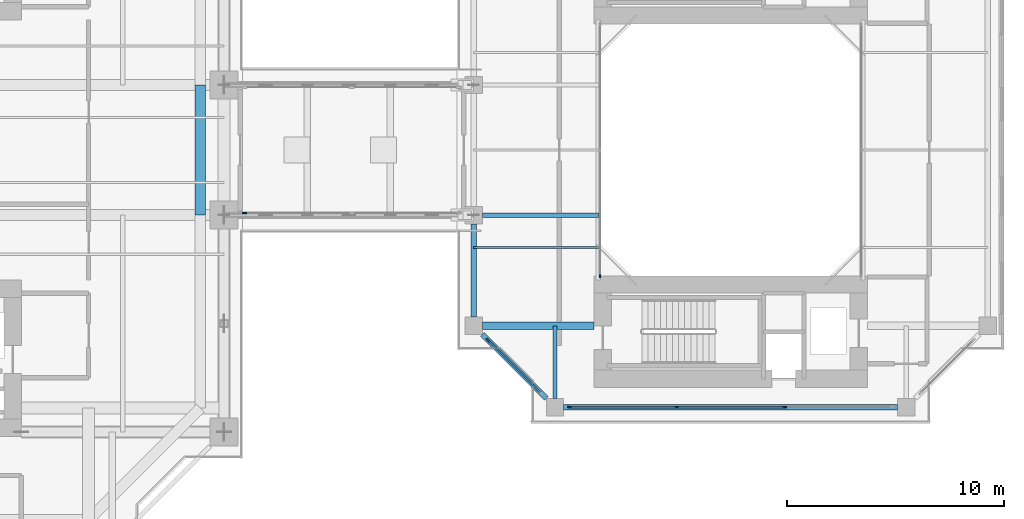
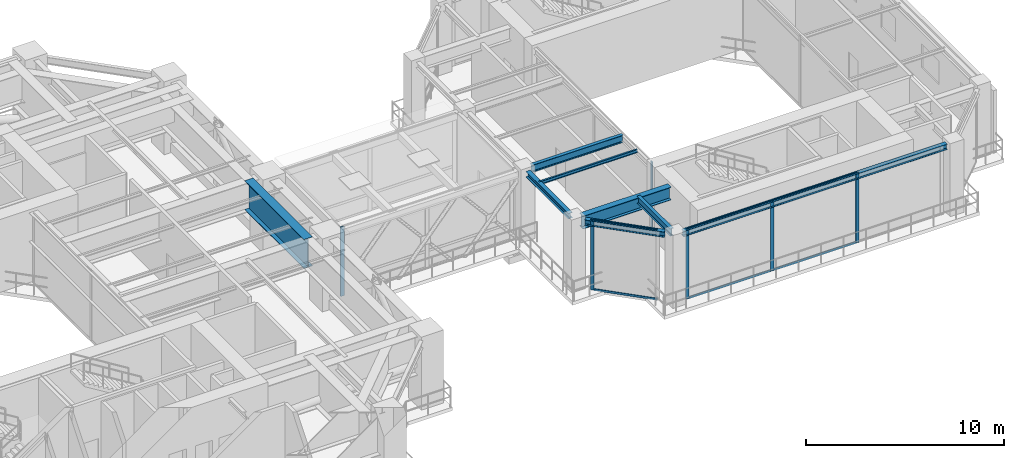
# One storey, part 6 of 25: 12 members, 8 beams, 4 elements without a shape of their own.
"""IFC4 building model written with IfcOpenShell, lengths in metres."""

from ifc_helpers import new_model, si_unit, direction, frame, origin, origin_2d, place, context, subcontext, project, spatial, rectangle, i_section, extrude, source, transform, mapped, material, layer, layer_set, material_profile, profile_set, type_object, element, aggregate, save


model = new_model("IFC4")

# Units and contexts
model_context = context("Model", 3, precision=1e-05, world=origin(), true_north=direction((0.0, 1.0)))
body_context = subcontext(model_context, "Body", "Model", "MODEL_VIEW")
ifc_project = project(units=[si_unit("LENGTHUNIT", "METRE"), si_unit("AREAUNIT", "SQUARE_METRE"), si_unit("VOLUMEUNIT", "CUBIC_METRE"), si_unit("PLANEANGLEUNIT", "RADIAN"), si_unit("MASSUNIT", "GRAM", prefix="KILO"), si_unit("THERMODYNAMICTEMPERATUREUNIT", "KELVIN"), si_unit("POWERUNIT", "WATT")], contexts=[model_context])

# Site, building, storey
site_placement = place(None, origin())
site = spatial("IfcSite", under=ifc_project, at=site_placement, CompositionType="ELEMENT")
building_placement = place(site_placement, origin())
building = spatial("IfcBuilding", under=site, at=building_placement, Name="Qiaomeng Ring Towers", CompositionType="ELEMENT")
storey_placement = place(building_placement, frame((0.0, 0.0, 92.5)))
storey = spatial("IfcBuildingStorey", under=building, at=storey_placement, Name="L26", CompositionType="ELEMENT", Elevation=92.5)

# Beams
ifc_material_1 = material(Name="Steel Q355B", Category="steel")
ifc_material_profile_1 = material_profile(ifc_material_1, i_section(OverallWidth=0.25, OverallDepth=0.340087890625, WebThickness=0.009033203125, FlangeThickness=0.013916015625, FilletRadius=0.02001953125, at=origin_2d()), Name="HM 340x250x9x14")
ifc_profile_set_1 = profile_set([ifc_material_profile_1], Name="Steel Q355B")
beam_type_1 = type_object("IfcBeamType", Name="STR-BM-HM340", PredefinedType="SPANDREL", material=ifc_profile_set_1)
shared_shape_1 = source(origin(), body_context, "Body", "SweptSolid", [
    extrude(i_section(OverallWidth=0.25, OverallDepth=0.340087890625, WebThickness=0.009033203125, FlangeThickness=0.013916015625, FilletRadius=0.02001953125, at=origin_2d()), origin(), (0.0, 0.0, 1.0), 15.40185546875),
])
beam_1_placement = place(storey_placement, frame((52.799072265625, 11.14990234375, 4.14990234375), z_axis=(1.0, 0.0, 0.0), x_axis=(0.0, 1.0, 0.0)))
element("IfcBeam", 1, at=beam_1_placement, inside=storey, type_object=beam_type_1, Name="L26 beam STR-SP-L26-T2-S1-S2", PredefinedType="SPANDREL", context=body_context, shape_type="MappedRepresentation", body=[
    mapped(shared_shape_1, transform((0.0, 0.0, 0.0), x_axis=(1.0, 0.0, 0.0), y_axis=(0.0, 1.0, 0.0), z_axis=(0.0, 0.0, 1.0), scale=1.0)),
])
shared_shape_2 = source(origin(), body_context, "Body", "SweptSolid", [
    extrude(i_section(OverallWidth=0.25, OverallDepth=0.340087890625, WebThickness=0.009033203125, FlangeThickness=0.013916015625, FilletRadius=0.02001953125, at=origin_2d()), origin(), (0.0, 0.0, 1.0), 4.173828125),
])
beam_2_placement = place(storey_placement, frame((49.04931640625, 14.500732421875, 4.14990234375), z_axis=(0.707106781187, -0.707106781187, 0.0), x_axis=(0.707106781187, 0.707106781187, 0.0)))
element("IfcBeam", 2, at=beam_2_placement, inside=storey, type_object=beam_type_1, Name="L26 beam STR-SP-L26-T2-W1-S1", PredefinedType="SPANDREL", context=body_context, shape_type="MappedRepresentation", body=[
    mapped(shared_shape_2, transform((0.0, 0.0, 0.0), x_axis=(1.0, 0.0, 0.0), y_axis=(0.0, 1.0, 0.0), z_axis=(0.0, 0.0, 1.0), scale=1.0)),
])
shared_shape_3 = source(origin(), body_context, "Body", "SweptSolid", [
    extrude(i_section(OverallWidth=0.25, OverallDepth=0.340087890625, WebThickness=0.009033203125, FlangeThickness=0.013916015625, FilletRadius=0.02001953125, at=origin_2d()), origin(), (0.0, 0.0, 1.0), 4.302001953125),
])
beam_3_placement = place(storey_placement, frame((48.64990234375, 19.60107421875, 4.14990234375), z_axis=(0.0, -1.0, 0.0), x_axis=(1.0, 0.0, 0.0)))
element("IfcBeam", 3, at=beam_3_placement, inside=storey, type_object=beam_type_1, Name="L26 beam STR-SP-L26-T2-W2-W1", PredefinedType="SPANDREL", context=body_context, shape_type="MappedRepresentation", body=[
    mapped(shared_shape_3, transform((0.0, 0.0, 0.0), x_axis=(1.0, 0.0, 0.0), y_axis=(0.0, 1.0, 0.0), z_axis=(0.0, 0.0, 1.0), scale=1.0)),
])
ifc_material_2 = material(Name="Steel Q390GJC", Category="steel")
ifc_material_profile_2 = material_profile(ifc_material_2, i_section(OverallWidth=0.35009765625, OverallDepth=0.800048828125, WebThickness=0.01611328125, FlangeThickness=0.028076171875, at=origin_2d()), Name="WH 800x350x16x28")
ifc_profile_set_2 = profile_set([ifc_material_profile_2], Name="Steel Q390GJC")
beam_type_2 = type_object("IfcBeamType", Name="STR-BM-WH800", PredefinedType="BEAM", material=ifc_profile_set_2)
shared_shape_4 = source(origin(), body_context, "Body", "SweptSolid", [
    extrude(i_section(OverallWidth=0.35009765625, OverallDepth=0.800048828125, WebThickness=0.01611328125, FlangeThickness=0.028076171875, at=origin_2d()), origin(), (0.0, 0.0, 1.0), 5.15087890625),
])
beam_4_placement = place(storey_placement, frame((49.049072265625, 14.89990234375, 3.919921875), z_axis=(1.0, 0.0, 0.0), x_axis=(0.0, 1.0, 0.0)))
element("IfcBeam", 4, at=beam_4_placement, inside=storey, type_object=beam_type_2, Name="L26 beam STR-BM-L26-T2-RAD-W1", PredefinedType="BEAM", context=body_context, shape_type="MappedRepresentation", body=[
    mapped(shared_shape_4, transform((0.0, 0.0, 0.0), x_axis=(1.0, 0.0, 0.0), y_axis=(0.0, 1.0, 0.0), z_axis=(0.0, 0.0, 1.0), scale=1.0)),
])
ifc_material_profile_3 = material_profile(ifc_material_1, i_section(OverallWidth=0.199951171875, OverallDepth=0.449951171875, WebThickness=0.009033203125, FlangeThickness=0.013916015625, FilletRadius=0.01806640625, at=origin_2d()), Name="HN 450x200x9x14")
ifc_profile_set_3 = profile_set([ifc_material_profile_3], Name="Steel Q355B")
beam_type_3 = type_object("IfcBeamType", Name="STR-BM-HN450", PredefinedType="SPANDREL", material=ifc_profile_set_3)
shared_shape_5 = source(origin(), body_context, "Body", "SweptSolid", [
    extrude(i_section(OverallWidth=0.199951171875, OverallDepth=0.449951171875, WebThickness=0.009033203125, FlangeThickness=0.013916015625, FilletRadius=0.01806640625, at=origin_2d()), origin(), (0.0, 0.0, 1.0), 5.350830078125),
])
beam_5_placement = place(storey_placement, frame((49.049072265625, 20.0, 4.094970703125), z_axis=(1.0, 0.0, 0.0), x_axis=(0.0, 1.0, 0.0)))
element("IfcBeam", 5, at=beam_5_placement, inside=storey, type_object=beam_type_3, Name="L26 beam STR-BM-L26-T2-RAD-W2", PredefinedType="SPANDREL", context=body_context, shape_type="MappedRepresentation", body=[
    mapped(shared_shape_5, transform((0.0, 0.0, 0.0), x_axis=(1.0, 0.0, 0.0), y_axis=(0.0, 1.0, 0.0), z_axis=(0.0, 0.0, 1.0), scale=1.0)),
])
shared_shape_6 = source(origin(), body_context, "Body", "SweptSolid", [
    extrude(i_section(OverallWidth=0.199951171875, OverallDepth=0.449951171875, WebThickness=0.009033203125, FlangeThickness=0.013916015625, FilletRadius=0.01806640625, at=origin_2d()), origin(), (0.0, 0.0, 1.0), 3.350830078125),
])
beam_6_placement = place(storey_placement, frame((52.39990234375, 11.549072265625, 4.094970703125), z_axis=(0.0, 1.0, 0.0), x_axis=(-1.0, 0.0, 0.0)))
element("IfcBeam", 6, at=beam_6_placement, inside=storey, type_object=beam_type_3, Name="L26 beam STR-BM-L26-T2-RAD-S1", PredefinedType="SPANDREL", context=body_context, shape_type="MappedRepresentation", body=[
    mapped(shared_shape_6, transform((0.0, 0.0, 0.0), x_axis=(1.0, 0.0, 0.0), y_axis=(0.0, 1.0, 0.0), z_axis=(0.0, 0.0, 1.0), scale=1.0)),
])
ifc_material_profile_4 = material_profile(ifc_material_1, i_section(OverallWidth=0.10009765625, OverallDepth=0.199951171875, WebThickness=0.005615234375, FlangeThickness=0.008056640625, FilletRadius=0.010986328125, at=origin_2d()), Name="HN 200x100x5.5x8")
ifc_profile_set_4 = profile_set([ifc_material_profile_4], Name="Steel Q355B")
beam_type_4 = type_object("IfcBeamType", Name="STR-BM-HN200", PredefinedType="JOIST", material=ifc_profile_set_4)
shared_shape_7 = source(origin(), body_context, "Body", "SweptSolid", [
    extrude(i_section(OverallWidth=0.10009765625, OverallDepth=0.199951171875, WebThickness=0.005615234375, FlangeThickness=0.008056640625, FilletRadius=0.010986328125, at=origin_2d()), origin(), (0.0, 0.0, 1.0), 5.75),
])
beam_7_placement = place(storey_placement, frame((48.64990234375, 18.5, 4.219970703125), z_axis=(1.0, 0.0, 0.0), x_axis=(0.0, 1.0, 0.0)))
element("IfcBeam", 7, at=beam_7_placement, inside=storey, type_object=beam_type_4, Name="L26 beam STR-JST-L26-T2W-1", PredefinedType="JOIST", context=body_context, shape_type="MappedRepresentation", body=[
    mapped(shared_shape_7, transform((0.0, 0.0, 0.0), x_axis=(1.0, 0.0, 0.0), y_axis=(0.0, 1.0, 0.0), z_axis=(0.0, 0.0, 1.0), scale=1.0)),
])
ifc_material_profile_5 = material_profile(ifc_material_2, i_section(OverallWidth=0.5, OverallDepth=1.800048828125, WebThickness=0.02392578125, FlangeThickness=0.035888671875, at=origin_2d()), Name="WH 1800x500x24x36")
ifc_profile_set_5 = profile_set([ifc_material_profile_5], Name="Steel Q390GJC")
beam_type_5 = type_object("IfcBeamType", Name="STR-TG-WH1800", PredefinedType="USERDEFINED", material=ifc_profile_set_5)
shared_shape_8 = source(origin(), body_context, "Body", "SweptSolid", [
    extrude(i_section(OverallWidth=0.5, OverallDepth=1.800048828125, WebThickness=0.02392578125, FlangeThickness=0.035888671875, at=origin_2d()), origin(), (0.0, 0.0, 1.0), 6.0),
])
beam_8_placement = place(storey_placement, frame((36.050048828125, 20.0, 3.419921875), z_axis=(0.0, 1.0, 0.0), x_axis=(-1.0, 0.0, 0.0)))
element("IfcBeam", 8, at=beam_8_placement, inside=storey, type_object=beam_type_5, Name="L26 Transfer Girder STR-TG3-L26-E2-E3", ObjectType="TRANSFER GIRDER", PredefinedType="USERDEFINED", context=body_context, shape_type="MappedRepresentation", body=[
    mapped(shared_shape_8, transform((0.0, 0.0, 0.0), x_axis=(1.0, 0.0, 0.0), y_axis=(0.0, 1.0, 0.0), z_axis=(0.0, 0.0, 1.0), scale=1.0)),
])

# Curtain wall, member
ifc_material_3 = material(Name="Fluorocarbon dark-grey aluminium", Category="aluminium")
ifc_layer_1 = layer(ifc_material_3, 0.139892578125, Name="Fluorocarbon dark-grey aluminium")
ifc_layer_set_1 = layer_set([ifc_layer_1], Name="Fluorocarbon dark-grey aluminium")
curtain_wall_type_1 = type_object("IfcCurtainWallType", Name="ARC-CW-4", PredefinedType="NOTDEFINED", material=ifc_layer_set_1)
curtain_wall_1_placement = place(storey_placement, origin())
curtain_wall_1 = element("IfcCurtainWall", 9, at=curtain_wall_1_placement, inside=storey, type_object=curtain_wall_type_1, Name="L26 Curtain Wall CW4", PredefinedType="NOTDEFINED")
ifc_material_profile_6 = material_profile(ifc_material_3, rectangle(XDim=0.06494140625, YDim=0.159912109375, at=origin_2d()), Name="ALU MULL 65x160")
ifc_profile_set_6 = profile_set([ifc_material_profile_6], Name="Fluorocarbon dark-grey aluminium")
member_type_1 = type_object("IfcMemberType", Name="ARC-CWM-140", PredefinedType="MULLION", material=ifc_profile_set_6)
shared_shape_9 = source(origin(), body_context, "Body", "SweptSolid", [
    extrude(rectangle(XDim=0.06494140625, YDim=0.159912109375, at=origin_2d()), origin(), (0.0, 0.0, 1.0), 4.320068359375),
])
member_1_placement = place(storey_placement, frame((54.47998046875, 17.1826171875, 0.0), z_axis=(0.0, 0.0, 1.0), x_axis=(-1.0, 0.0, 0.0)))
member_1 = element("IfcMember", 10, at=member_1_placement, type_object=member_type_1, Name="CW4 mullion 1", PredefinedType="MULLION", context=body_context, shape_type="MappedRepresentation", body=[
    mapped(shared_shape_9, transform((0.0, 0.0, 0.0), x_axis=(1.0, 0.0, 0.0), y_axis=(0.0, 1.0, 0.0), z_axis=(0.0, 0.0, 1.0), scale=1.0)),
])
aggregate(curtain_wall_1, [member_1])

ifc_layer_2 = layer(ifc_material_3, 0.169921875, Name="Fluorocarbon dark-grey aluminium")
ifc_layer_set_2 = layer_set([ifc_layer_2], Name="Fluorocarbon dark-grey aluminium")
curtain_wall_type_2 = type_object("IfcCurtainWallType", Name="ARC-CW-6", PredefinedType="NOTDEFINED", material=ifc_layer_set_2)
curtain_wall_2_placement = place(storey_placement, origin())
curtain_wall_2 = element("IfcCurtainWall", 11, at=curtain_wall_2_placement, inside=storey, type_object=curtain_wall_type_2, Name="L26 Curtain Wall CW6", PredefinedType="NOTDEFINED")
ifc_material_profile_7 = material_profile(ifc_material_3, rectangle(XDim=0.080078125, YDim=0.219970703125, at=origin_2d()), Name="ALU MULL 80x220")
ifc_profile_set_7 = profile_set([ifc_material_profile_7], Name="Fluorocarbon dark-grey aluminium")
member_type_2 = type_object("IfcMemberType", Name="ARC-CWM-180", PredefinedType="MULLION", material=ifc_profile_set_7)
shared_shape_10 = source(origin(), body_context, "Body", "SweptSolid", [
    extrude(rectangle(XDim=0.080078125, YDim=0.219970703125, at=origin_2d()), origin(), (0.0, 0.0, 1.0), 4.280029296875),
])
member_2_placement = place(storey_placement, frame((38.090087890625, 20.10009765625, 0.0), z_axis=(0.0, 0.0, 1.0), x_axis=(0.0, 1.0, 0.0)))
member_2 = element("IfcMember", 12, at=member_2_placement, type_object=member_type_2, Name="CW6 mullion 1", PredefinedType="MULLION", context=body_context, shape_type="MappedRepresentation", body=[
    mapped(shared_shape_10, transform((0.0, 0.0, 0.0), x_axis=(1.0, 0.0, 0.0), y_axis=(0.0, 1.0, 0.0), z_axis=(0.0, 0.0, 1.0), scale=1.0)),
])
aggregate(curtain_wall_2, [member_2])

ifc_layer_3 = layer(ifc_material_3, 0.14990234375, Name="Fluorocarbon dark-grey aluminium")
ifc_layer_set_3 = layer_set([ifc_layer_3], Name="Fluorocarbon dark-grey aluminium")
curtain_wall_type_3 = type_object("IfcCurtainWallType", Name="ARC-CW-5", PredefinedType="NOTDEFINED", material=ifc_layer_set_3)
curtain_wall_3_placement = place(storey_placement, origin())
curtain_wall_3 = element("IfcCurtainWall", 13, at=curtain_wall_3_placement, inside=storey, type_object=curtain_wall_type_3, Name="L26 Curtain Wall CW5", PredefinedType="NOTDEFINED")
ifc_material_profile_8 = material_profile(ifc_material_3, rectangle(XDim=0.070068359375, YDim=0.179931640625, at=origin_2d()), Name="ALU MULL 70x180")
ifc_profile_set_8 = profile_set([ifc_material_profile_8], Name="Fluorocarbon dark-grey aluminium")
member_type_3 = type_object("IfcMemberType", Name="ARC-CWM-160", PredefinedType="MULLION", material=ifc_profile_set_8)
shared_shape_11 = source(origin(), body_context, "Body", "SweptSolid", [
    extrude(rectangle(XDim=0.070068359375, YDim=0.179931640625, at=origin_2d()), origin(), (0.0, 0.0, 1.0), 4.320068359375),
])
member_3_placement = place(storey_placement, frame((49.314697265625, 14.2353515625, 0.0), z_axis=(0.0, 0.0, 1.0), x_axis=(0.707106781187, 0.707106781187, 0.0)))
member_3 = element("IfcMember", 14, at=member_3_placement, type_object=member_type_3, Name="CW5 mullion 1", PredefinedType="MULLION", context=body_context, shape_type="MappedRepresentation", body=[
    mapped(shared_shape_11, transform((0.0, 0.0, 0.0), x_axis=(1.0, 0.0, 0.0), y_axis=(0.0, 1.0, 0.0), z_axis=(0.0, 0.0, 1.0), scale=1.0)),
])

# Curtain wall, members
curtain_wall_4_placement = place(storey_placement, origin())
curtain_wall_4 = element("IfcCurtainWall", 15, at=curtain_wall_4_placement, inside=storey, type_object=curtain_wall_type_3, Name="L26 Curtain Wall CW5", PredefinedType="NOTDEFINED")
member_4_placement = place(storey_placement, frame((53.074951171875, 11.14990234375, 0.0), z_axis=(0.0, 0.0, 1.0), x_axis=(0.0, 1.0, 0.0)))
member_4 = element("IfcMember", 16, at=member_4_placement, type_object=member_type_3, Name="CW5 mullion 1", PredefinedType="MULLION", context=body_context, shape_type="MappedRepresentation", body=[
    mapped(shared_shape_11, transform((0.0, 0.0, 0.0), x_axis=(1.0, 0.0, 0.0), y_axis=(0.0, 1.0, 0.0), z_axis=(0.0, 0.0, 1.0), scale=1.0)),
])
member_5_placement = place(storey_placement, frame((58.013427734375, 11.14990234375, 0.0), z_axis=(0.0, 0.0, 1.0), x_axis=(0.0, 1.0, 0.0)))
member_5 = element("IfcMember", 17, at=member_5_placement, type_object=member_type_3, Name="CW5 mullion 2", PredefinedType="MULLION", context=body_context, shape_type="MappedRepresentation", body=[
    mapped(shared_shape_11, transform((0.0, 0.0, 0.0), x_axis=(1.0, 0.0, 0.0), y_axis=(0.0, 1.0, 0.0), z_axis=(0.0, 0.0, 1.0), scale=1.0)),
])
member_6_placement = place(storey_placement, frame((62.986572265625, 11.14990234375, 0.0), z_axis=(0.0, 0.0, 1.0), x_axis=(0.0, 1.0, 0.0)))
member_6 = element("IfcMember", 18, at=member_6_placement, type_object=member_type_3, Name="CW5 mullion 3", PredefinedType="MULLION", context=body_context, shape_type="MappedRepresentation", body=[
    mapped(shared_shape_11, transform((0.0, 0.0, 0.0), x_axis=(1.0, 0.0, 0.0), y_axis=(0.0, 1.0, 0.0), z_axis=(0.0, 0.0, 1.0), scale=1.0)),
])
ifc_material_profile_9 = material_profile(ifc_material_3, rectangle(XDim=0.06494140625, YDim=0.1298828125, at=origin_2d()), Name="ALU TRAN 65x130")
ifc_profile_set_9 = profile_set([ifc_material_profile_9], Name="Fluorocarbon dark-grey aluminium")
member_type_4 = type_object("IfcMemberType", Name="ARC-CWT-120", PredefinedType="USERDEFINED", material=ifc_profile_set_9)
shared_shape_12 = source(origin(), body_context, "Body", "SweptSolid", [
    extrude(rectangle(XDim=0.06494140625, YDim=0.1298828125, at=origin_2d()), origin(), (0.0, 0.0, 1.0), 4.8681640625),
])
member_7_placement = place(storey_placement, frame((53.110107421875, 11.14990234375, 0.032470703125), z_axis=(1.0, 0.0, 0.0), x_axis=(0.0, 1.0, 0.0)))
member_7 = element("IfcMember", 19, at=member_7_placement, type_object=member_type_4, Name="CW5 transom 1.1", ObjectType="TRANSOM", PredefinedType="USERDEFINED", context=body_context, shape_type="MappedRepresentation", body=[
    mapped(shared_shape_12, transform((0.0, 0.0, 0.0), x_axis=(1.0, 0.0, 0.0), y_axis=(0.0, 1.0, 0.0), z_axis=(0.0, 0.0, 1.0), scale=1.0)),
])
member_8_placement = place(storey_placement, frame((53.110107421875, 11.14990234375, 4.28759765625), z_axis=(1.0, 0.0, 0.0), x_axis=(0.0, 1.0, 0.0)))
member_8 = element("IfcMember", 20, at=member_8_placement, type_object=member_type_4, Name="CW5 transom 1.2", ObjectType="TRANSOM", PredefinedType="USERDEFINED", context=body_context, shape_type="MappedRepresentation", body=[
    mapped(shared_shape_12, transform((0.0, 0.0, 0.0), x_axis=(1.0, 0.0, 0.0), y_axis=(0.0, 1.0, 0.0), z_axis=(0.0, 0.0, 1.0), scale=1.0)),
])
shared_shape_13 = source(origin(), body_context, "Body", "SweptSolid", [
    extrude(rectangle(XDim=0.06494140625, YDim=0.1298828125, at=origin_2d()), origin(), (0.0, 0.0, 1.0), 4.9033203125),
])
member_9_placement = place(storey_placement, frame((58.04833984375, 11.14990234375, 0.032470703125), z_axis=(1.0, 0.0, 0.0), x_axis=(0.0, 1.0, 0.0)))
member_9 = element("IfcMember", 21, at=member_9_placement, type_object=member_type_4, Name="CW5 transom 2.1", ObjectType="TRANSOM", PredefinedType="USERDEFINED", context=body_context, shape_type="MappedRepresentation", body=[
    mapped(shared_shape_13, transform((0.0, 0.0, 0.0), x_axis=(1.0, 0.0, 0.0), y_axis=(0.0, 1.0, 0.0), z_axis=(0.0, 0.0, 1.0), scale=1.0)),
])
member_10_placement = place(storey_placement, frame((58.04833984375, 11.14990234375, 4.28759765625), z_axis=(1.0, 0.0, 0.0), x_axis=(0.0, 1.0, 0.0)))
member_10 = element("IfcMember", 22, at=member_10_placement, type_object=member_type_4, Name="CW5 transom 2.2", ObjectType="TRANSOM", PredefinedType="USERDEFINED", context=body_context, shape_type="MappedRepresentation", body=[
    mapped(shared_shape_13, transform((0.0, 0.0, 0.0), x_axis=(1.0, 0.0, 0.0), y_axis=(0.0, 1.0, 0.0), z_axis=(0.0, 0.0, 1.0), scale=1.0)),
])
aggregate(curtain_wall_4, [member_4, member_5, member_6, member_7, member_8, member_9, member_10])

# Member
shared_shape_14 = source(origin(), body_context, "Body", "SweptSolid", [
    extrude(rectangle(XDim=0.06494140625, YDim=0.1298828125, at=origin_2d()), origin(), (0.0, 0.0, 1.0), 3.352783203125),
])
member_11_placement = place(storey_placement, frame((49.339599609375, 14.21044921875, 0.032470703125), z_axis=(0.707106781187, -0.707106781187, 0.0), x_axis=(0.707106781187, 0.707106781187, 0.0)))
member_11 = element("IfcMember", 23, at=member_11_placement, type_object=member_type_4, Name="CW5 transom 1.1", ObjectType="TRANSOM", PredefinedType="USERDEFINED", context=body_context, shape_type="MappedRepresentation", body=[
    mapped(shared_shape_14, transform((0.0, 0.0, 0.0), x_axis=(1.0, 0.0, 0.0), y_axis=(0.0, 1.0, 0.0), z_axis=(0.0, 0.0, 1.0), scale=1.0)),
])

member_12_placement = place(storey_placement, frame((49.339599609375, 14.21044921875, 4.28759765625), z_axis=(0.707106781187, -0.707106781187, 0.0), x_axis=(0.707106781187, 0.707106781187, 0.0)))
member_12 = element("IfcMember", 24, at=member_12_placement, type_object=member_type_4, Name="CW5 transom 1.2", ObjectType="TRANSOM", PredefinedType="USERDEFINED", context=body_context, shape_type="MappedRepresentation", body=[
    mapped(shared_shape_14, transform((0.0, 0.0, 0.0), x_axis=(1.0, 0.0, 0.0), y_axis=(0.0, 1.0, 0.0), z_axis=(0.0, 0.0, 1.0), scale=1.0)),
])

aggregate(curtain_wall_3, [member_3, member_11, member_12])

save(model, "model.ifc")
